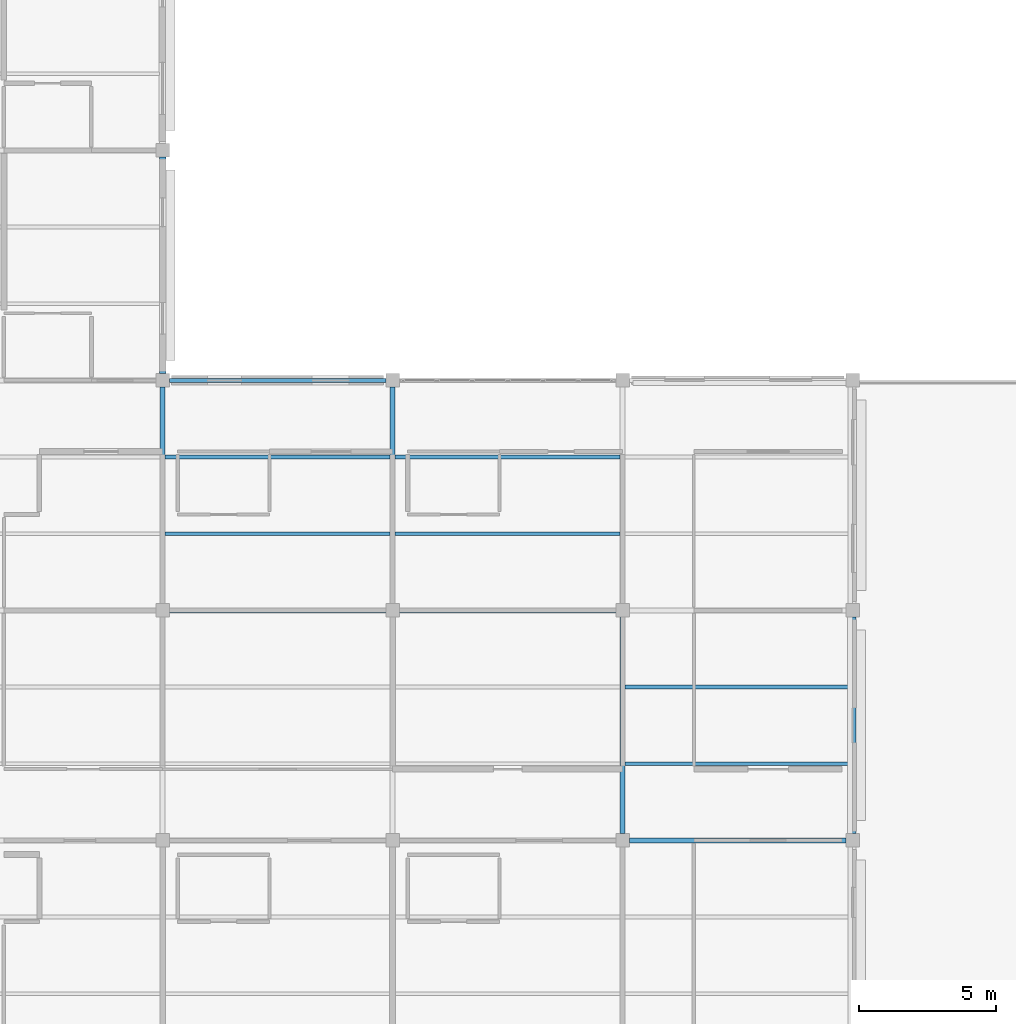
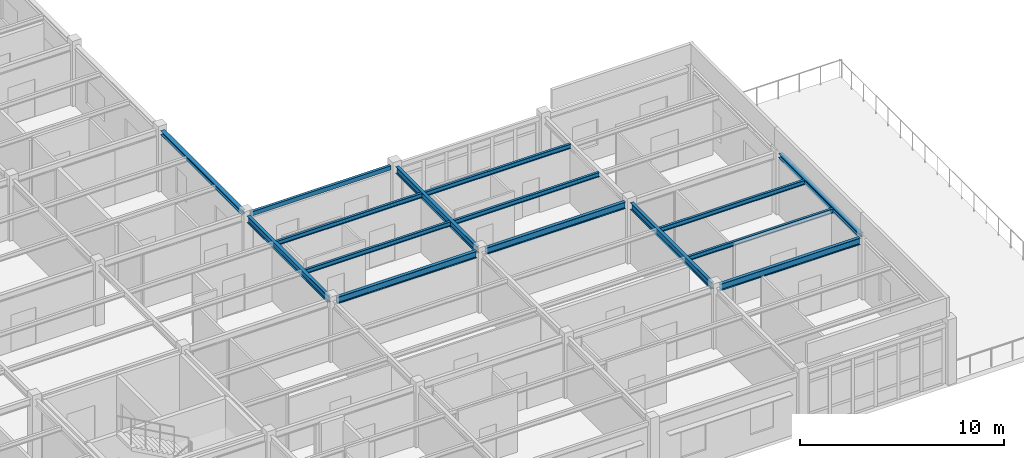
# One storey, part 7 of 53: 15 beams.
"""IFC4 building model written with IfcOpenShell, lengths in metres."""

from ifc_helpers import new_model, si_unit, direction, frame, origin, origin_2d, place, context, subcontext, project, spatial, hollow_rectangle, i_section, extrude, material, material_profile, profile_set, type_object, element, save


model = new_model("IFC4")

# Units and contexts
model_context = context("Model", 3, precision=1e-05, world=origin(), true_north=direction((0.0, 1.0)))
body_context = subcontext(model_context, "Body", "Model", "MODEL_VIEW")
ifc_project = project(units=[si_unit("LENGTHUNIT", "METRE"), si_unit("AREAUNIT", "SQUARE_METRE"), si_unit("VOLUMEUNIT", "CUBIC_METRE"), si_unit("PLANEANGLEUNIT", "RADIAN"), si_unit("MASSUNIT", "GRAM", prefix="KILO")], contexts=[model_context])

# Site, building, storey
site_placement = place(None, origin())
site = spatial("IfcSite", under=ifc_project, at=site_placement, CompositionType="ELEMENT")
building_placement = place(site_placement, origin())
building = spatial("IfcBuilding", under=site, at=building_placement, Name="Bramfleet General Hospital", CompositionType="ELEMENT")
storey_placement = place(building_placement, frame((0.0, 0.0, 26.39990234375)))
storey = spatial("IfcBuildingStorey", under=building, at=storey_placement, Name="L06", CompositionType="ELEMENT", Elevation=26.39990234375)

# Beams
ifc_material = material(Name="Steel S355", Category="steel")
ifc_material_profile_1 = material_profile(ifc_material, i_section(OverallWidth=0.239990234375, OverallDepth=0.22998046875, WebThickness=0.007568359375, FlangeThickness=0.011962890625, FilletRadius=0.02099609375, at=origin_2d()), Name="HEA 240")
ifc_profile_set_1 = profile_set([ifc_material_profile_1], Name="Steel S355")
beam_type_1 = type_object("IfcBeamType", Name="BM-HEA240", PredefinedType="SPANDREL", material=ifc_profile_set_1)
for number, where, z_axis, x_axis, name in (
    (1, (117.60009765625, 25.449951171875, 3.505126953125), (0.0, 1.0, 0.0), (-1.0, 0.0, 0.0), "L06 Grid Beam Y 14-03"),
    (2, (142.800048828125, 8.64990234375, 3.505126953125), (0.0, 1.0, 0.0), (-1.0, 0.0, 0.0), "L06 Grid Beam Y 17-01"),
):
    element("IfcBeam", number, at=place(storey_placement, frame(where, z_axis=z_axis, x_axis=x_axis)), inside=storey, type_object=beam_type_1, Name=name, PredefinedType="SPANDREL", context=body_context, shape_type="SweptSolid", body=[
        extrude(i_section(OverallWidth=0.239990234375, OverallDepth=0.22998046875, WebThickness=0.007568359375, FlangeThickness=0.011962890625, FilletRadius=0.02099609375, at=origin_2d()), origin(), (0.0, 0.0, 1.0), 7.900146484375),
    ])
ifc_material_profile_2 = material_profile(ifc_material, i_section(OverallWidth=0.135009765625, OverallDepth=0.27001953125, WebThickness=0.006591796875, FlangeThickness=0.01025390625, FilletRadius=0.014892578125, at=origin_2d()), Name="IPE 270")
ifc_profile_set_2 = profile_set([ifc_material_profile_2], Name="Steel S355")
beam_type_2 = type_object("IfcBeamType", Name="BM-IPE270", PredefinedType="JOIST", material=ifc_profile_set_2)
for number, where, z_axis, x_axis, name in (
    (3, (117.68994140625, 19.60009765625, 3.485107421875), (1.0, 0.0, 0.0), (0.0, 1.0, 0.0), "L06 Secondary Joist 14-02-1"),
    (4, (117.68994140625, 22.39990234375, 3.485107421875), (1.0, 0.0, 0.0), (0.0, 1.0, 0.0), "L06 Secondary Joist 14-02-2"),
    (5, (126.090087890625, 19.60009765625, 3.485107421875), (1.0, 0.0, 0.0), (0.0, 1.0, 0.0), "L06 Secondary Joist 15-02-1"),
    (6, (126.090087890625, 22.39990234375, 3.485107421875), (1.0, 0.0, 0.0), (0.0, 1.0, 0.0), "L06 Secondary Joist 15-02-2"),
):
    element("IfcBeam", number, at=place(storey_placement, frame(where, z_axis=z_axis, x_axis=x_axis)), inside=storey, type_object=beam_type_2, Name=name, PredefinedType="JOIST", context=body_context, shape_type="SweptSolid", body=[
        extrude(i_section(OverallWidth=0.135009765625, OverallDepth=0.27001953125, WebThickness=0.006591796875, FlangeThickness=0.01025390625, FilletRadius=0.014892578125, at=origin_2d()), origin(), (0.0, 0.0, 1.0), 8.219970703125),
    ])
for number, where, z_axis, x_axis, name in (
    (7, (134.489990234375, 11.199951171875, 3.485107421875), (1.0, 0.0, 0.0), (0.0, 1.0, 0.0), "L06 Secondary Joist 16-01-1"),
    (8, (134.489990234375, 14.0, 3.485107421875), (1.0, 0.0, 0.0), (0.0, 1.0, 0.0), "L06 Secondary Joist 16-01-2"),
):
    element("IfcBeam", number, at=place(storey_placement, frame(where, z_axis=z_axis, x_axis=x_axis)), inside=storey, type_object=beam_type_2, Name=name, PredefinedType="JOIST", context=body_context, shape_type="SweptSolid", body=[
        extrude(i_section(OverallWidth=0.135009765625, OverallDepth=0.27001953125, WebThickness=0.006591796875, FlangeThickness=0.01025390625, FilletRadius=0.014892578125, at=origin_2d()), origin(), (0.0, 0.0, 1.0), 8.18994140625),
    ])
ifc_material_profile_3 = material_profile(ifc_material, i_section(OverallWidth=0.179931640625, OverallDepth=0.39990234375, WebThickness=0.008544921875, FlangeThickness=0.013427734375, FilletRadius=0.02099609375, at=origin_2d()), Name="IPE 400")
ifc_profile_set_3 = profile_set([ifc_material_profile_3], Name="Steel S355")
beam_type_3 = type_object("IfcBeamType", Name="BM-IPE400", PredefinedType="BEAM", material=ifc_profile_set_3)
for number, where, z_axis, x_axis, name in (
    (9, (117.85009765625, 16.800048828125, 3.420166015625), (1.0, 0.0, 0.0), (0.0, 1.0, 0.0), "L06 Grid Beam X 14-02"),
    (10, (126.25, 16.800048828125, 3.420166015625), (1.0, 0.0, 0.0), (0.0, 1.0, 0.0), "L06 Grid Beam X 15-02"),
):
    element("IfcBeam", number, at=place(storey_placement, frame(where, z_axis=z_axis, x_axis=x_axis)), inside=storey, type_object=beam_type_3, Name=name, PredefinedType="BEAM", context=body_context, shape_type="SweptSolid", body=[
        extrude(i_section(OverallWidth=0.179931640625, OverallDepth=0.39990234375, WebThickness=0.008544921875, FlangeThickness=0.013427734375, FilletRadius=0.02099609375, at=origin_2d()), origin(), (0.0, 0.0, 1.0), 7.89990234375),
    ])
beam_1_placement = place(storey_placement, frame((134.64990234375, 8.39990234375, 3.420166015625), z_axis=(1.0, 0.0, 0.0), x_axis=(0.0, 1.0, 0.0)))
element("IfcBeam", 11, at=beam_1_placement, inside=storey, type_object=beam_type_3, Name="L06 Grid Beam X 16-01", PredefinedType="BEAM", context=body_context, shape_type="SweptSolid", body=[
    extrude(i_section(OverallWidth=0.179931640625, OverallDepth=0.39990234375, WebThickness=0.008544921875, FlangeThickness=0.013427734375, FilletRadius=0.02099609375, at=origin_2d()), origin(), (0.0, 0.0, 1.0), 7.900146484375),
])
for number, where, z_axis, x_axis, name in (
    (12, (117.60009765625, 17.050048828125, 3.420166015625), (0.0, 1.0, 0.0), (-1.0, 0.0, 0.0), "L06 Grid Beam Y 14-02"),
    (13, (126.0, 17.050048828125, 3.420166015625), (0.0, 1.0, 0.0), (-1.0, 0.0, 0.0), "L06 Grid Beam Y 15-02"),
):
    element("IfcBeam", number, at=place(storey_placement, frame(where, z_axis=z_axis, x_axis=x_axis)), inside=storey, type_object=beam_type_3, Name=name, PredefinedType="BEAM", context=body_context, shape_type="SweptSolid", body=[
        extrude(i_section(OverallWidth=0.179931640625, OverallDepth=0.39990234375, WebThickness=0.008544921875, FlangeThickness=0.013427734375, FilletRadius=0.02099609375, at=origin_2d()), origin(), (0.0, 0.0, 1.0), 7.89990234375),
    ])
beam_2_placement = place(storey_placement, frame((134.39990234375, 8.64990234375, 3.420166015625), z_axis=(0.0, 1.0, 0.0), x_axis=(-1.0, 0.0, 0.0)))
element("IfcBeam", 14, at=beam_2_placement, inside=storey, type_object=beam_type_3, Name="L06 Grid Beam Y 16-01", PredefinedType="BEAM", context=body_context, shape_type="SweptSolid", body=[
    extrude(i_section(OverallWidth=0.179931640625, OverallDepth=0.39990234375, WebThickness=0.008544921875, FlangeThickness=0.013427734375, FilletRadius=0.02099609375, at=origin_2d()), origin(), (0.0, 0.0, 1.0), 7.900146484375),
])
ifc_material_profile_4 = material_profile(ifc_material, hollow_rectangle(XDim=0.14990234375, YDim=0.25, WallThickness=0.010009765625, at=origin_2d()), Name="RHS 250x150x10.0")
ifc_profile_set_4 = profile_set([ifc_material_profile_4], Name="Steel S355")
beam_type_4 = type_object("IfcBeamType", Name="BM-RHS250", PredefinedType="SPANDREL", material=ifc_profile_set_4)
beam_3_placement = place(storey_placement, frame((117.85009765625, 25.199951171875, 3.4951171875), z_axis=(1.0, 0.0, 0.0), x_axis=(0.0, 1.0, 0.0)))
element("IfcBeam", 15, at=beam_3_placement, inside=storey, type_object=beam_type_4, Name="L06 Grid Beam X 14-03", PredefinedType="SPANDREL", context=body_context, shape_type="SweptSolid", body=[
    extrude(hollow_rectangle(XDim=0.14990234375, YDim=0.25, WallThickness=0.010009765625, at=origin_2d()), origin(), (0.0, 0.0, 1.0), 7.89990234375),
])

save(model, "model.ifc")
